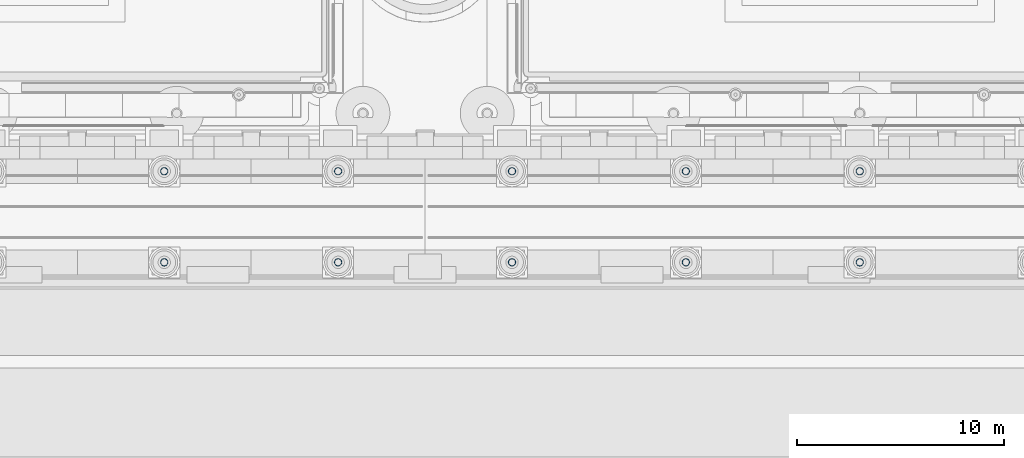
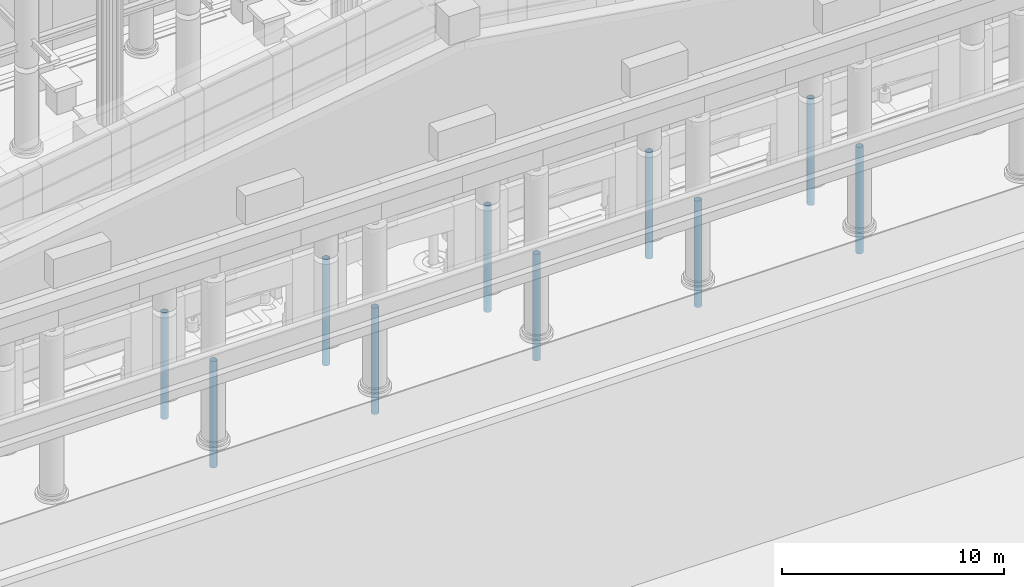
# One storey, part 12 of 222: 10 columns.
"""IFC4 building model written with IfcOpenShell, lengths in metres."""

from ifc_helpers import new_model, si_unit, direction, frame, origin, origin_2d, place, context, subcontext, project, spatial, hollow_circle, extrude, material, material_profile, profile_set, type_object, element, save


model = new_model("IFC4")

# Units and contexts
model_context = context("Model", 3, precision=1e-05, world=origin(), true_north=direction((0.0, 1.0)))
body_context = subcontext(model_context, "Body", "Model", "MODEL_VIEW")
ifc_project = project(units=[si_unit("LENGTHUNIT", "METRE"), si_unit("AREAUNIT", "SQUARE_METRE"), si_unit("VOLUMEUNIT", "CUBIC_METRE"), si_unit("PLANEANGLEUNIT", "RADIAN"), si_unit("MASSUNIT", "GRAM", prefix="KILO")], contexts=[model_context])

# Site, building, storey
site_placement = place(None, origin())
site = spatial("IfcSite", under=ifc_project, at=site_placement, CompositionType="ELEMENT")
building_placement = place(site_placement, origin())
building = spatial("IfcBuilding", under=site, at=building_placement, Name="Sava Quay Ferry Terminal", CompositionType="ELEMENT")
storey_placement = place(building_placement, origin())
storey = spatial("IfcBuildingStorey", under=building, at=storey_placement, Name="L00", CompositionType="ELEMENT", Elevation=0.0)

# Columns
ifc_material = material(Name="Steel S355", Category="steel")
ifc_material_profile = material_profile(ifc_material, hollow_circle(Radius=0.177734375, WallThickness=0.012451171875, at=origin_2d()), Name="CHS 355.6 x 12.5")
ifc_profile_set = profile_set([ifc_material_profile], Name="Steel S355")
column_type = type_object("IfcColumnType", Name="Column CHS 355.6 x 12.5", PredefinedType="COLUMN", material=ifc_profile_set)
for number, where, z_axis, x_axis, name in (
    (1, (50.39990234375, -5.199951171875, -1.35009765625), (0.0, 0.0, 1.0), (1.0, 0.0, 0.0), "Porte-cochere column 50.4/-5.2"),
    (2, (58.800048828125, -5.199951171875, -1.35009765625), (0.0, 0.0, 1.0), (1.0, 0.0, 0.0), "Porte-cochere column 58.8/-5.2"),
    (3, (67.199951171875, -5.199951171875, -1.35009765625), (0.0, 0.0, 1.0), (1.0, 0.0, 0.0), "Porte-cochere column 67.2/-5.2"),
    (4, (75.60009765625, -5.199951171875, -1.35009765625), (0.0, 0.0, 1.0), (1.0, 0.0, 0.0), "Porte-cochere column 75.6/-5.2"),
    (5, (84.0, -5.199951171875, -1.35009765625), (0.0, 0.0, 1.0), (1.0, 0.0, 0.0), "Porte-cochere column 84/-5.2"),
    (6, (50.39990234375, -0.800048828125, -1.35009765625), (0.0, 0.0, 1.0), (1.0, 0.0, 0.0), "Porte-cochere column 50.4/-0.8"),
    (7, (58.800048828125, -0.800048828125, -1.35009765625), (0.0, 0.0, 1.0), (1.0, 0.0, 0.0), "Porte-cochere column 58.8/-0.8"),
    (8, (67.199951171875, -0.800048828125, -1.35009765625), (0.0, 0.0, 1.0), (1.0, 0.0, 0.0), "Porte-cochere column 67.2/-0.8"),
    (9, (75.60009765625, -0.800048828125, -1.35009765625), (0.0, 0.0, 1.0), (1.0, 0.0, 0.0), "Porte-cochere column 75.6/-0.8"),
    (10, (84.0, -0.800048828125, -1.35009765625), (0.0, 0.0, 1.0), (1.0, 0.0, 0.0), "Porte-cochere column 84/-0.8"),
):
    element("IfcColumn", number, at=place(storey_placement, frame(where, z_axis=z_axis, x_axis=x_axis)), inside=storey, type_object=column_type, Name=name, PredefinedType="COLUMN", context=body_context, shape_type="SweptSolid", body=[
        extrude(hollow_circle(Radius=0.177734375, WallThickness=0.012451171875, at=origin_2d()), origin(), (0.0, 0.0, 1.0), 5.85009765625),
    ])

save(model, "model.ifc")
